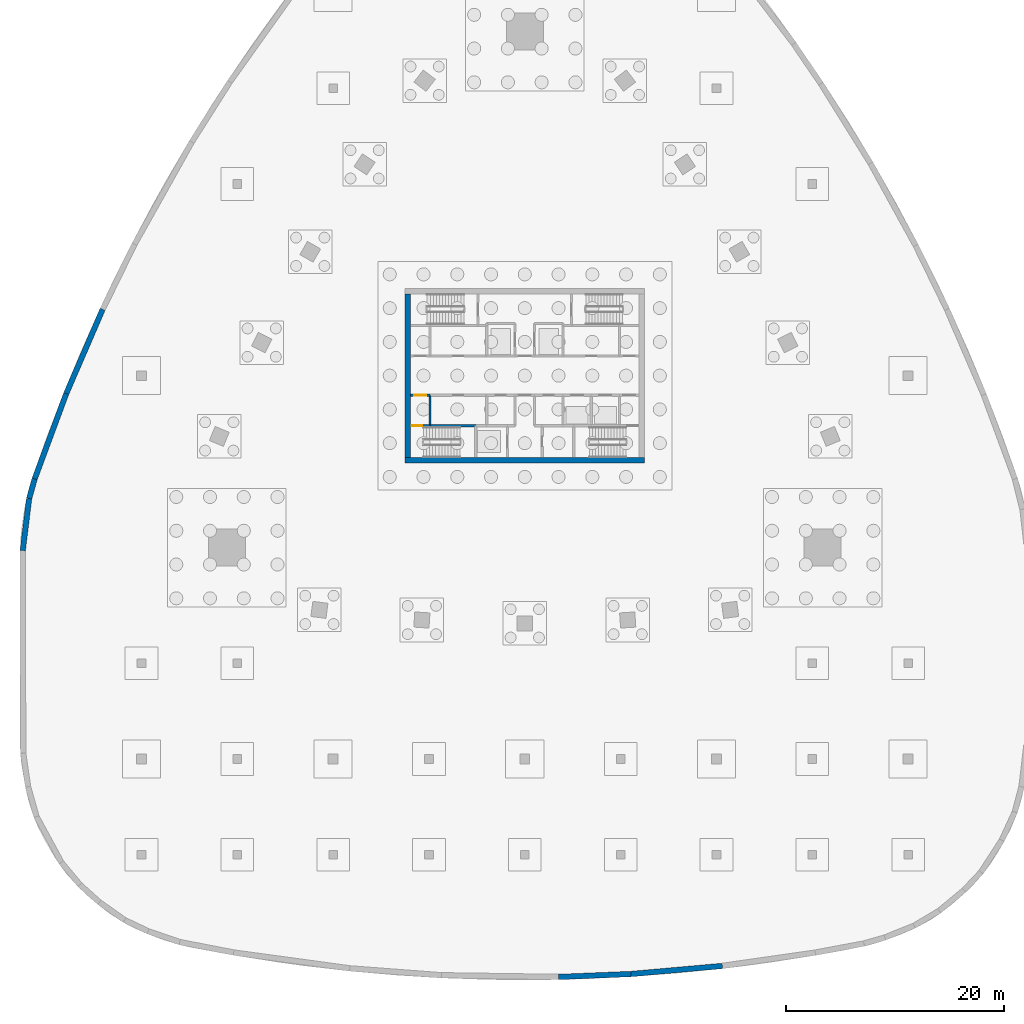
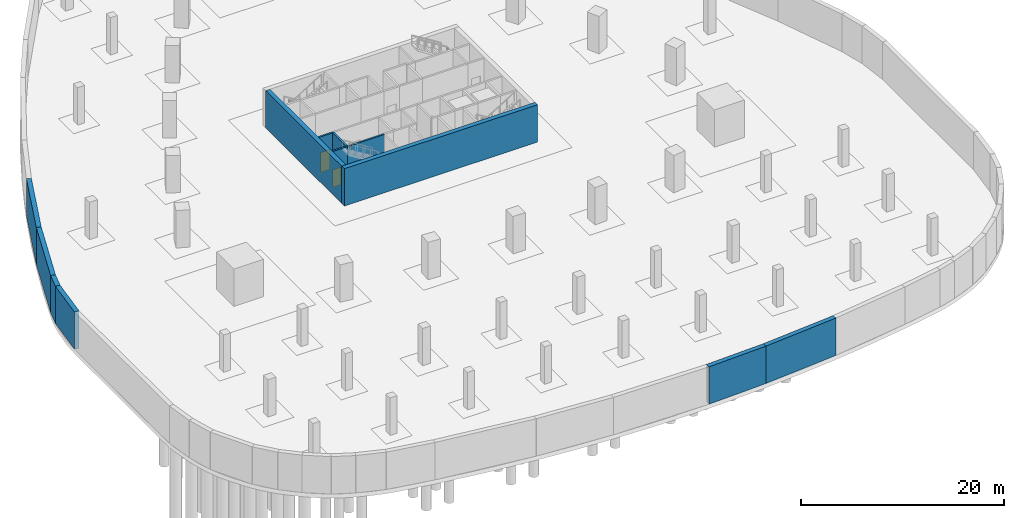
# One storey, part 3 of 8: 12 walls, 2 doors, 2 openings.
"""IFC4 building model written with IfcOpenShell, lengths in metres."""

from ifc_helpers import new_model, si_unit, direction, frame, frame_2d, origin, place, context, subcontext, project, spatial, rectangle, extrude, material, layer, layer_set, type_object, element, fill, save


model = new_model("IFC4")

# Units and contexts
model_context = context("Model", 3, precision=1e-05, world=origin(), true_north=direction((0.0, 1.0)))
body_context = subcontext(model_context, "Body", "Model", "MODEL_VIEW")
ifc_project = project(units=[si_unit("LENGTHUNIT", "METRE"), si_unit("AREAUNIT", "SQUARE_METRE"), si_unit("VOLUMEUNIT", "CUBIC_METRE"), si_unit("PLANEANGLEUNIT", "RADIAN"), si_unit("MASSUNIT", "GRAM", prefix="KILO")], contexts=[model_context])

# Site, building, storey
site_placement = place(None, origin())
site = spatial("IfcSite", under=ifc_project, at=site_placement, CompositionType="ELEMENT")
building_placement = place(site_placement, origin())
building = spatial("IfcBuilding", under=site, at=building_placement, Name="Sierra Prisma Convention Tower", CompositionType="ELEMENT")
storey_placement = place(building_placement, frame((0.0, 0.0, -9.0)))
storey = spatial("IfcBuildingStorey", under=building, at=storey_placement, Name="B2", CompositionType="ELEMENT", Elevation=-9.0)

# Wall, opening, door
ifc_material_1 = material(Name="Concrete C30/37", Category="concrete")
ifc_layer_1 = layer(ifc_material_1, 0.199951171875)
ifc_layer_set_1 = layer_set([ifc_layer_1], Name="Core wall RC 200 C30/37")
wall_type_1 = type_object("IfcWallType", Name="Core wall RC 200 C30/37", PredefinedType="SOLIDWALL", material=ifc_layer_set_1)
wall_1_placement = place(storey_placement, frame((-10.5, -4.60009765625, 0.0), z_axis=(0.0, 0.0, 1.0), x_axis=(1.0, 0.0, 0.0)))
wall_1 = element("IfcWall", 1, at=wall_1_placement, inside=storey, type_object=wall_type_1, Name="Core wall B2 1", PredefinedType="SOLIDWALL", context=body_context, shape_type="SweptSolid", body=[
    extrude(rectangle(XDim=1.800048828125, YDim=0.199951171875, at=frame_2d((0.89990234375, 0.0))), origin(), (0.0, 0.0, 1.0), 4.35009765625),
])
opening_1_placement = place(wall_1_placement, frame((0.10009765625, 0.0, 0.0)))
opening_1 = element("IfcOpeningElement", 2, at=opening_1_placement, cuts=wall_1, Name="Opening B2-D012", PredefinedType="OPENING", context=body_context, shape_type="SweptSolid", body=[
    extrude(rectangle(XDim=1.0, YDim=2.10009765625, at=frame_2d((0.5, 1.050048828125))), frame((0.0, 0.10009765625, 0.0), z_axis=(0.0, -1.0, 0.0), x_axis=(1.0, 0.0, 0.0)), (0.0, 0.0, 1.0), 0.199951171875),
])
ifc_material_2 = material(Name="Steel fire door leaf", Category="steel")
door_type_1 = type_object("IfcDoorType", Name="Door 1000x2100 FD90S", OperationType="SINGLE_SWING_LEFT", PredefinedType="DOOR", material=ifc_material_2)
door_1_placement = place(opening_1_placement, origin())
door_1 = element("IfcDoor", 3, at=door_1_placement, inside=storey, type_object=door_type_1, Name="Door B2 12", OperationType="SINGLE_SWING_LEFT", OverallHeight=2.10009765625, OverallWidth=1.0, PredefinedType="DOOR", context=body_context, shape_type="SweptSolid", body=[
    extrude(rectangle(XDim=1.0, YDim=2.10009765625, at=frame_2d((0.5, 1.050048828125))), frame((0.0, 0.02490234375, 0.0), z_axis=(0.0, -1.0, 0.0), x_axis=(1.0, 0.0, 0.0)), (0.0, 0.0, 1.0), 0.050048828125),
])
fill(opening_1, door_1)

wall_2_placement = place(storey_placement, frame((-10.5, -1.800048828125, 0.0), z_axis=(0.0, 0.0, 1.0), x_axis=(1.0, 0.0, 0.0)))
wall_2 = element("IfcWall", 4, at=wall_2_placement, inside=storey, type_object=wall_type_1, Name="Core wall B2 2", PredefinedType="SOLIDWALL", context=body_context, shape_type="SweptSolid", body=[
    extrude(rectangle(XDim=1.800048828125, YDim=0.199951171875, at=frame_2d((0.89990234375, 0.0))), origin(), (0.0, 0.0, 1.0), 4.35009765625),
])
opening_2_placement = place(wall_2_placement, frame((0.35009765625, 0.0, 0.0)))
opening_2 = element("IfcOpeningElement", 5, at=opening_2_placement, cuts=wall_2, Name="Opening B2-D006", PredefinedType="OPENING", context=body_context, shape_type="SweptSolid", body=[
    extrude(rectangle(XDim=1.10009765625, YDim=2.39990234375, at=frame_2d((0.550048828125, 1.199951171875))), frame((0.0, 0.10009765625, 0.0), z_axis=(0.0, -1.0, 0.0), x_axis=(1.0, 0.0, 0.0)), (0.0, 0.0, 1.0), 0.199951171875),
])
ifc_material_3 = material(Name="Steel fire door leaf", Category="steel")
door_type_2 = type_object("IfcDoorType", Name="Door 1100x2400 FD90S", OperationType="SINGLE_SWING_LEFT", PredefinedType="DOOR", material=ifc_material_3)
door_2_placement = place(opening_2_placement, origin())
door_2 = element("IfcDoor", 6, at=door_2_placement, inside=storey, type_object=door_type_2, Name="Door B2 6", OperationType="SINGLE_SWING_LEFT", OverallHeight=2.39990234375, OverallWidth=1.10009765625, PredefinedType="DOOR", context=body_context, shape_type="SweptSolid", body=[
    extrude(rectangle(XDim=1.10009765625, YDim=2.39990234375, at=frame_2d((0.550048828125, 1.199951171875))), frame((0.0, 0.02490234375, 0.0), z_axis=(0.0, -1.0, 0.0), x_axis=(1.0, 0.0, 0.0)), (0.0, 0.0, 1.0), 0.050048828125),
])
fill(opening_2, door_2)

# Walls
wall_3_placement = place(storey_placement, frame((-8.699951171875, -4.60009765625, 0.0), z_axis=(0.0, 0.0, 1.0), x_axis=(1.0, 0.0, 0.0)))
element("IfcWall", 7, at=wall_3_placement, inside=storey, type_object=wall_type_1, Name="Core wall B2 5", PredefinedType="SOLIDWALL", context=body_context, shape_type="SweptSolid", body=[
    extrude(rectangle(XDim=4.199951171875, YDim=0.199951171875, at=frame_2d((2.10009765625, 0.0))), origin(), (0.0, 0.0, 1.0), 4.35009765625),
])
wall_4_placement = place(storey_placement, frame((-8.699951171875, -1.800048828125, 0.0), z_axis=(0.0, 0.0, 1.0), x_axis=(0.0, -1.0, 0.0)))
element("IfcWall", 8, at=wall_4_placement, inside=storey, type_object=wall_type_1, Name="Core wall B2 6", PredefinedType="SOLIDWALL", context=body_context, shape_type="SweptSolid", body=[
    extrude(rectangle(XDim=2.800048828125, YDim=0.199951171875, at=frame_2d((1.39990234375, 0.0))), origin(), (0.0, 0.0, 1.0), 4.35009765625),
])
ifc_material_4 = material(Name="Concrete C70/85", Category="concrete")
ifc_layer_2 = layer(ifc_material_4, 0.5)
ifc_layer_set_2 = layer_set([ifc_layer_2], Name="Core wall RC 500 C70/85")
wall_type_2 = type_object("IfcWallType", Name="Core wall RC 500 C70/85", PredefinedType="SHEAR", material=ifc_layer_set_2)
wall_5_placement = place(storey_placement, frame((-11.0, -7.75, 0.0), z_axis=(0.0, 0.0, 1.0), x_axis=(1.0, 0.0, 0.0)))
element("IfcWall", 9, at=wall_5_placement, inside=storey, type_object=wall_type_2, Name="Core wall S B2", PredefinedType="SHEAR", context=body_context, shape_type="SweptSolid", body=[
    extrude(rectangle(XDim=22.0, YDim=0.5, at=frame_2d((11.0, 0.0))), origin(), (0.0, 0.0, 1.0), 4.5),
])
wall_6_placement = place(storey_placement, frame((-10.75, -7.5, 0.0), z_axis=(0.0, 0.0, 1.0), x_axis=(0.0, 1.0, 0.0)))
element("IfcWall", 10, at=wall_6_placement, inside=storey, type_object=wall_type_2, Name="Core wall W B2", PredefinedType="SHEAR", context=body_context, shape_type="SweptSolid", body=[
    extrude(rectangle(XDim=15.0, YDim=0.5, at=frame_2d((7.5, 0.0))), origin(), (0.0, 0.0, 1.0), 4.5),
])
ifc_material_5 = material(Name="Concrete C40/50", Category="concrete")
ifc_layer_3 = layer(ifc_material_5, 0.5)
ifc_layer_set_3 = layer_set([ifc_layer_3], Name="Retaining wall 500")
wall_type_3 = type_object("IfcWallType", Name="Retaining wall 500", PredefinedType="SOLIDWALL", material=ifc_layer_set_3)
wall_7_placement = place(storey_placement, frame((-46.1044921875, -16.063720703125, 0.0), z_axis=(0.0, 0.0, 1.0), x_axis=(0.121862377762, 0.99254700689, 0.0)))
element("IfcWall", 11, at=wall_7_placement, inside=storey, type_object=wall_type_3, Name="Retaining wall B2 14", PredefinedType="SOLIDWALL", context=body_context, shape_type="SweptSolid", body=[
    extrude(rectangle(XDim=4.814208984375, YDim=0.5, at=frame_2d((2.4072265625, 0.0))), origin(), (0.0, 0.0, 1.0), 4.5),
])
wall_8_placement = place(storey_placement, frame((-45.517822265625, -11.285400390625, 0.0), z_axis=(0.0, 0.0, 1.0), x_axis=(0.270156779067, 0.962816345273, 0.0)))
element("IfcWall", 12, at=wall_8_placement, inside=storey, type_object=wall_type_3, Name="Retaining wall B2 15", PredefinedType="SOLIDWALL", context=body_context, shape_type="SweptSolid", body=[
    extrude(rectangle(XDim=1.873291015625, YDim=0.5, at=frame_2d((0.9365234375, 0.0))), origin(), (0.0, 0.0, 1.0), 4.5),
])
wall_9_placement = place(storey_placement, frame((-45.01171875, -9.481689453125, 0.0), z_axis=(0.0, 0.0, 1.0), x_axis=(0.347237291218, 0.937777299569, 0.0)))
element("IfcWall", 13, at=wall_9_placement, inside=storey, type_object=wall_type_3, Name="Retaining wall B2 16", PredefinedType="SOLIDWALL", context=body_context, shape_type="SweptSolid", body=[
    extrude(rectangle(XDim=8.357666015625, YDim=0.5, at=frame_2d((4.1787109375, 0.0))), origin(), (0.0, 0.0, 1.0), 4.5),
])
wall_10_placement = place(storey_placement, frame((-42.109619140625, -1.64404296875, 0.0), z_axis=(0.0, 0.0, 1.0), x_axis=(0.396582550064, 0.917999063717, 0.0)))
element("IfcWall", 14, at=wall_10_placement, inside=storey, type_object=wall_type_3, Name="Retaining wall B2 17", PredefinedType="SOLIDWALL", context=body_context, shape_type="SweptSolid", body=[
    extrude(rectangle(XDim=8.42529296875, YDim=0.5, at=frame_2d((4.212646484375, 0.0))), origin(), (0.0, 0.0, 1.0), 4.5),
])
wall_11_placement = place(storey_placement, frame((18.139892578125, -54.20703125, 0.0), z_axis=(0.0, 0.0, 1.0), x_axis=(-0.99611229427, -0.088092549079, 0.0)))
element("IfcWall", 15, at=wall_11_placement, inside=storey, type_object=wall_type_3, Name="Retaining wall B2 54", PredefinedType="SOLIDWALL", context=body_context, shape_type="SweptSolid", body=[
    extrude(rectangle(XDim=8.425048828125, YDim=0.5, at=frame_2d((4.21240234375, 0.0))), origin(), (0.0, 0.0, 1.0), 4.5),
])
wall_12_placement = place(storey_placement, frame((9.74755859375, -54.94921875, 0.0), z_axis=(0.0, 0.0, 1.0), x_axis=(-0.999176973502, -0.040563229939, 0.0)))
element("IfcWall", 16, at=wall_12_placement, inside=storey, type_object=wall_type_3, Name="Retaining wall B2 55", PredefinedType="SOLIDWALL", context=body_context, shape_type="SweptSolid", body=[
    extrude(rectangle(XDim=6.650634765625, YDim=0.5, at=frame_2d((3.3251953125, 0.0))), origin(), (0.0, 0.0, 1.0), 4.5),
])

save(model, "model.ifc")
